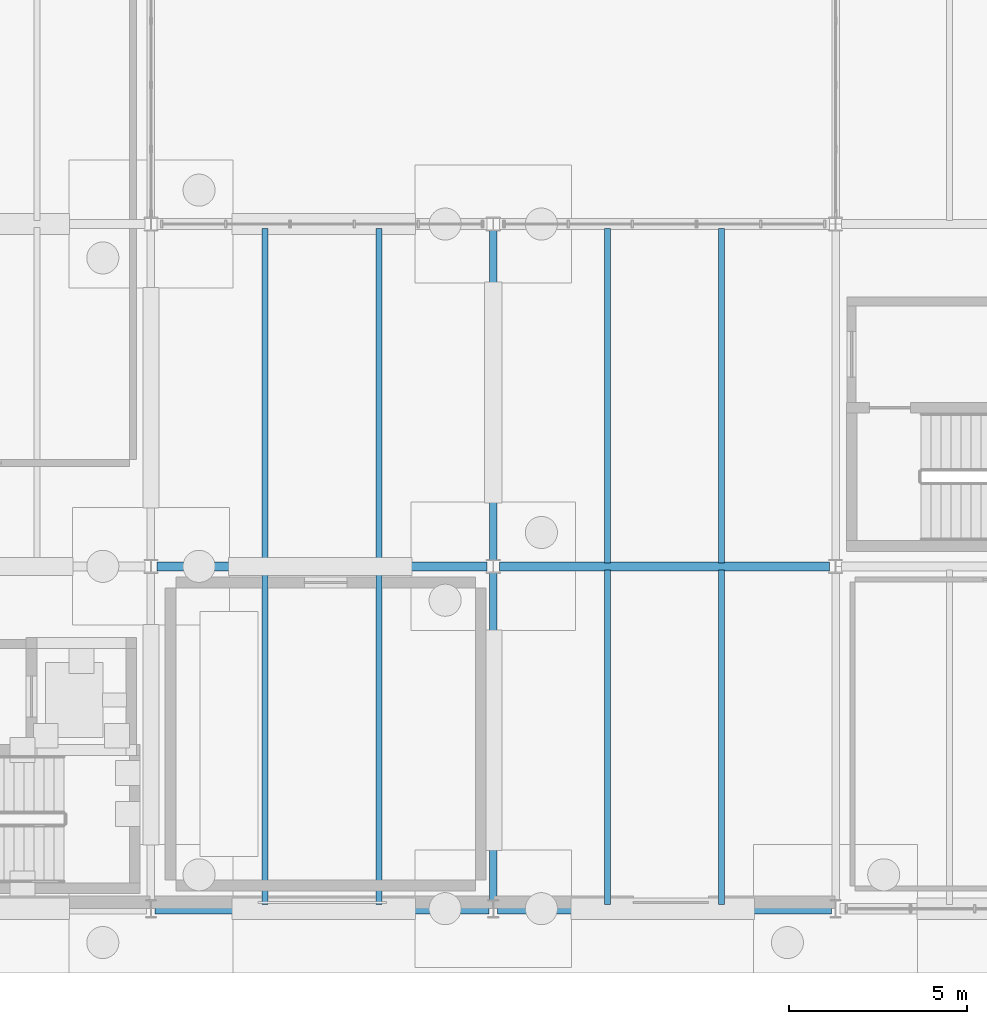
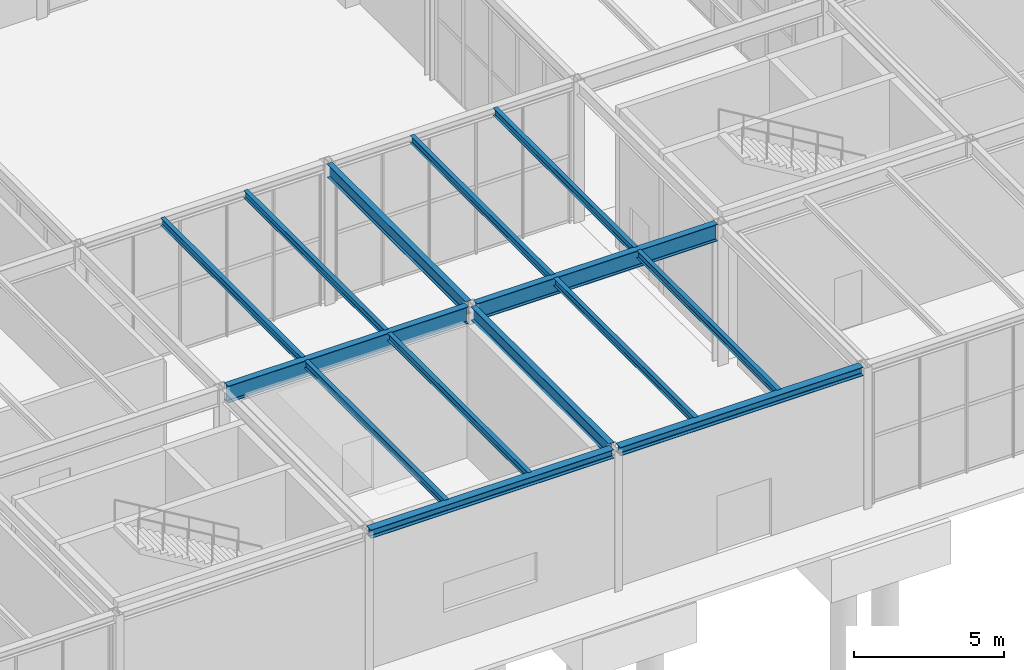
# One storey, part 40 of 142: 14 beams.
"""IFC4 building model written with IfcOpenShell, lengths in metres."""

from ifc_helpers import new_model, si_unit, direction, frame, origin, origin_2d, place, context, subcontext, project, spatial, i_section, extrude, material, material_profile, profile_set, type_object, element, save


model = new_model("IFC4")

# Units and contexts
model_context = context("Model", 3, precision=1e-05, world=origin(), true_north=direction((0.0, 1.0)))
body_context = subcontext(model_context, "Body", "Model", "MODEL_VIEW")
ifc_project = project(units=[si_unit("LENGTHUNIT", "METRE"), si_unit("AREAUNIT", "SQUARE_METRE"), si_unit("VOLUMEUNIT", "CUBIC_METRE"), si_unit("PLANEANGLEUNIT", "RADIAN"), si_unit("MASSUNIT", "GRAM", prefix="KILO")], contexts=[model_context])

# Site, building, storey
site_placement = place(None, origin())
site = spatial("IfcSite", under=ifc_project, at=site_placement, CompositionType="ELEMENT")
building_placement = place(site_placement, origin())
building = spatial("IfcBuilding", under=site, at=building_placement, Name="Coralgate Yard Interchange", CompositionType="ELEMENT")
storey_placement = place(building_placement, origin())
storey = spatial("IfcBuildingStorey", under=building, at=storey_placement, Name="L00", CompositionType="ELEMENT", Elevation=0.0)

# Beams
ifc_material = material(Name="Structural steel S355J2", Category="steel")
ifc_material_profile_1 = material_profile(ifc_material, i_section(OverallWidth=0.209228515625, OverallDepth=0.533203125, WebThickness=0.010009765625, FlangeThickness=0.015625, FilletRadius=0.0126953125, at=origin_2d()), Name="UB 533x210x92")
ifc_profile_set_1 = profile_set([ifc_material_profile_1], Name="Structural steel S355J2")
beam_type_1 = type_object("IfcBeamType", Name="BM-SB-1", PredefinedType="BEAM", material=ifc_profile_set_1)
beam_1_placement = place(storey_placement, frame((38.39990234375, 0.219970703125, 5.4833984375), z_axis=(0.0, 1.0, 0.0), x_axis=(-1.0, 0.0, 0.0)))
element("IfcBeam", 1, at=beam_1_placement, inside=storey, type_object=beam_type_1, Name="L00 primary grid girder X4 Y0-1", PredefinedType="BEAM", context=body_context, shape_type="SweptSolid", body=[
    extrude(i_section(OverallWidth=0.209228515625, OverallDepth=0.533203125, WebThickness=0.010009765625, FlangeThickness=0.015625, FilletRadius=0.0126953125, at=origin_2d()), origin(), (0.0, 0.0, 1.0), 9.213134765625),
])
beam_2_placement = place(storey_placement, frame((38.39990234375, 9.766845703125, 5.4833984375), z_axis=(0.0, 1.0, 0.0), x_axis=(-1.0, 0.0, 0.0)))
element("IfcBeam", 2, at=beam_2_placement, inside=storey, type_object=beam_type_1, Name="L00 primary grid girder X4 Y1-2", PredefinedType="BEAM", context=body_context, shape_type="SweptSolid", body=[
    extrude(i_section(OverallWidth=0.209228515625, OverallDepth=0.533203125, WebThickness=0.010009765625, FlangeThickness=0.015625, FilletRadius=0.0126953125, at=origin_2d()), origin(), (0.0, 0.0, 1.0), 9.266357421875),
])
ifc_material_profile_2 = material_profile(ifc_material, i_section(OverallWidth=0.253662109375, OverallDepth=0.68359375, WebThickness=0.012451171875, FlangeThickness=0.01904296875, FilletRadius=0.01513671875, at=origin_2d()), Name="UB 686x254x140")
ifc_profile_set_2 = profile_set([ifc_material_profile_2], Name="Structural steel S355J2")
beam_type_2 = type_object("IfcBeamType", Name="BM-SG-4", PredefinedType="BEAM", material=ifc_profile_set_2)
for number, where, z_axis, x_axis, name in (
    (3, (28.969482421875, 9.60009765625, 5.408203125), (1.0, 0.0, 0.0), (0.0, 1.0, 0.0), "L00 primary grid beam Y1 X3-4"),
    (4, (38.569580078125, 9.60009765625, 5.408203125), (1.0, 0.0, 0.0), (0.0, 1.0, 0.0), "L00 primary grid beam Y1 X4-5"),
):
    element("IfcBeam", number, at=place(storey_placement, frame(where, z_axis=z_axis, x_axis=x_axis)), inside=storey, type_object=beam_type_2, Name=name, PredefinedType="BEAM", context=body_context, shape_type="SweptSolid", body=[
        extrude(i_section(OverallWidth=0.253662109375, OverallDepth=0.68359375, WebThickness=0.012451171875, FlangeThickness=0.01904296875, FilletRadius=0.01513671875, at=origin_2d()), origin(), (0.0, 0.0, 1.0), 9.260986328125),
    ])
ifc_material_profile_3 = material_profile(ifc_material, i_section(OverallWidth=0.1650390625, OverallDepth=0.303466796875, WebThickness=0.006103515625, FlangeThickness=0.01025390625, FilletRadius=0.0087890625, at=origin_2d()), Name="UB 305x165x40")
ifc_profile_set_3 = profile_set([ifc_material_profile_3], Name="Structural steel S355J2")
beam_type_3 = type_object("IfcBeamType", Name="BM-SJ-1", PredefinedType="JOIST", material=ifc_profile_set_3)
for number, where, z_axis, x_axis, name in (
    (5, (32.0, 0.1201171875, 5.598388671875), (0.0, 1.0, 0.0), (-1.0, 0.0, 0.0), "L00 composite floor joist 3-0-1"),
    (6, (35.199951171875, 0.1201171875, 5.598388671875), (0.0, 1.0, 0.0), (-1.0, 0.0, 0.0), "L00 composite floor joist 3-0-2"),
):
    element("IfcBeam", number, at=place(storey_placement, frame(where, z_axis=z_axis, x_axis=x_axis)), inside=storey, type_object=beam_type_3, Name=name, PredefinedType="JOIST", context=body_context, shape_type="SweptSolid", body=[
        extrude(i_section(OverallWidth=0.1650390625, OverallDepth=0.303466796875, WebThickness=0.006103515625, FlangeThickness=0.01025390625, FilletRadius=0.0087890625, at=origin_2d()), origin(), (0.0, 0.0, 1.0), 9.383056640625),
    ])
for number, where, z_axis, x_axis, name in (
    (7, (32.0, 9.69677734375, 5.598388671875), (0.0, 1.0, 0.0), (-1.0, 0.0, 0.0), "L00 composite floor joist 3-1-1"),
    (8, (35.199951171875, 9.69677734375, 5.598388671875), (0.0, 1.0, 0.0), (-1.0, 0.0, 0.0), "L00 composite floor joist 3-1-2"),
):
    element("IfcBeam", number, at=place(storey_placement, frame(where, z_axis=z_axis, x_axis=x_axis)), inside=storey, type_object=beam_type_3, Name=name, PredefinedType="JOIST", context=body_context, shape_type="SweptSolid", body=[
        extrude(i_section(OverallWidth=0.1650390625, OverallDepth=0.303466796875, WebThickness=0.006103515625, FlangeThickness=0.01025390625, FilletRadius=0.0087890625, at=origin_2d()), origin(), (0.0, 0.0, 1.0), 9.38330078125),
    ])
for number, where, z_axis, x_axis, name in (
    (9, (41.60009765625, 0.1201171875, 5.598388671875), (0.0, 1.0, 0.0), (-1.0, 0.0, 0.0), "L00 composite floor joist 4-0-1"),
    (10, (44.800048828125, 0.1201171875, 5.598388671875), (0.0, 1.0, 0.0), (-1.0, 0.0, 0.0), "L00 composite floor joist 4-0-2"),
):
    element("IfcBeam", number, at=place(storey_placement, frame(where, z_axis=z_axis, x_axis=x_axis)), inside=storey, type_object=beam_type_3, Name=name, PredefinedType="JOIST", context=body_context, shape_type="SweptSolid", body=[
        extrude(i_section(OverallWidth=0.1650390625, OverallDepth=0.303466796875, WebThickness=0.006103515625, FlangeThickness=0.01025390625, FilletRadius=0.0087890625, at=origin_2d()), origin(), (0.0, 0.0, 1.0), 9.383056640625),
    ])
for number, where, z_axis, x_axis, name in (
    (11, (41.60009765625, 9.69677734375, 5.598388671875), (0.0, 1.0, 0.0), (-1.0, 0.0, 0.0), "L00 composite floor joist 4-1-1"),
    (12, (44.800048828125, 9.69677734375, 5.598388671875), (0.0, 1.0, 0.0), (-1.0, 0.0, 0.0), "L00 composite floor joist 4-1-2"),
):
    element("IfcBeam", number, at=place(storey_placement, frame(where, z_axis=z_axis, x_axis=x_axis)), inside=storey, type_object=beam_type_3, Name=name, PredefinedType="JOIST", context=body_context, shape_type="SweptSolid", body=[
        extrude(i_section(OverallWidth=0.1650390625, OverallDepth=0.303466796875, WebThickness=0.006103515625, FlangeThickness=0.01025390625, FilletRadius=0.0087890625, at=origin_2d()), origin(), (0.0, 0.0, 1.0), 9.38330078125),
    ])
ifc_material_profile_4 = material_profile(ifc_material, i_section(OverallWidth=0.300048828125, OverallDepth=0.35009765625, WebThickness=0.010009765625, FlangeThickness=0.017578125, FilletRadius=0.027099609375, at=origin_2d()), Name="HEA 360")
ifc_profile_set_4 = profile_set([ifc_material_profile_4], Name="Structural steel S355J2")
beam_type_4 = type_object("IfcBeamType", Name="BM-SP-1", PredefinedType="SPANDREL", material=ifc_profile_set_4)
beam_3_placement = place(storey_placement, frame((28.919921875, 0.0, 5.574951171875), z_axis=(1.0, 0.0, 0.0), x_axis=(0.0, 1.0, 0.0)))
element("IfcBeam", 13, at=beam_3_placement, inside=storey, type_object=beam_type_4, Name="L00 primary grid beam Y0 X3-4", PredefinedType="SPANDREL", context=body_context, shape_type="SweptSolid", body=[
    extrude(i_section(OverallWidth=0.300048828125, OverallDepth=0.35009765625, WebThickness=0.010009765625, FlangeThickness=0.017578125, FilletRadius=0.027099609375, at=origin_2d()), origin(), (0.0, 0.0, 1.0), 9.360107421875),
])
beam_4_placement = place(storey_placement, frame((38.52001953125, 0.0, 5.574951171875), z_axis=(1.0, 0.0, 0.0), x_axis=(0.0, 1.0, 0.0)))
element("IfcBeam", 14, at=beam_4_placement, inside=storey, type_object=beam_type_4, Name="L00 primary grid beam Y0 X4-5", PredefinedType="SPANDREL", context=body_context, shape_type="SweptSolid", body=[
    extrude(i_section(OverallWidth=0.300048828125, OverallDepth=0.35009765625, WebThickness=0.010009765625, FlangeThickness=0.017578125, FilletRadius=0.027099609375, at=origin_2d()), origin(), (0.0, 0.0, 1.0), 9.35986328125),
])

save(model, "model.ifc")
